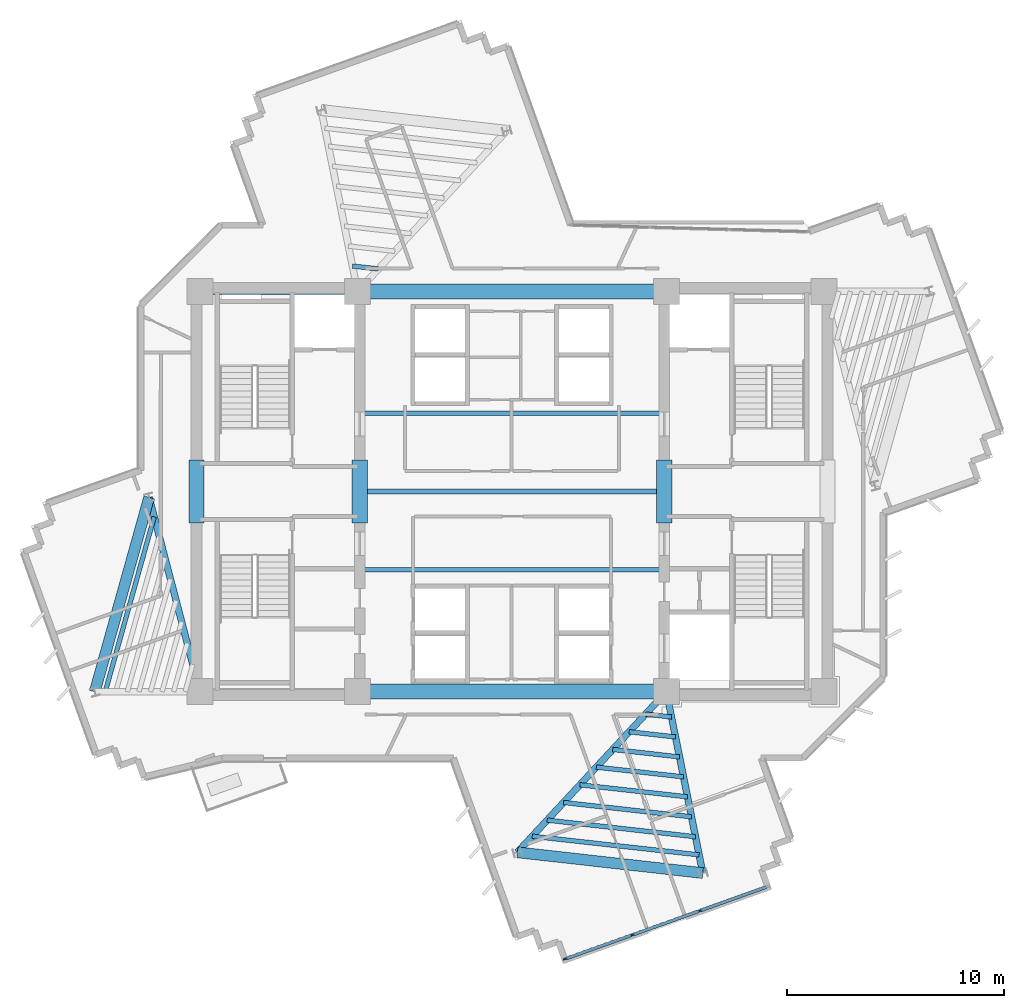
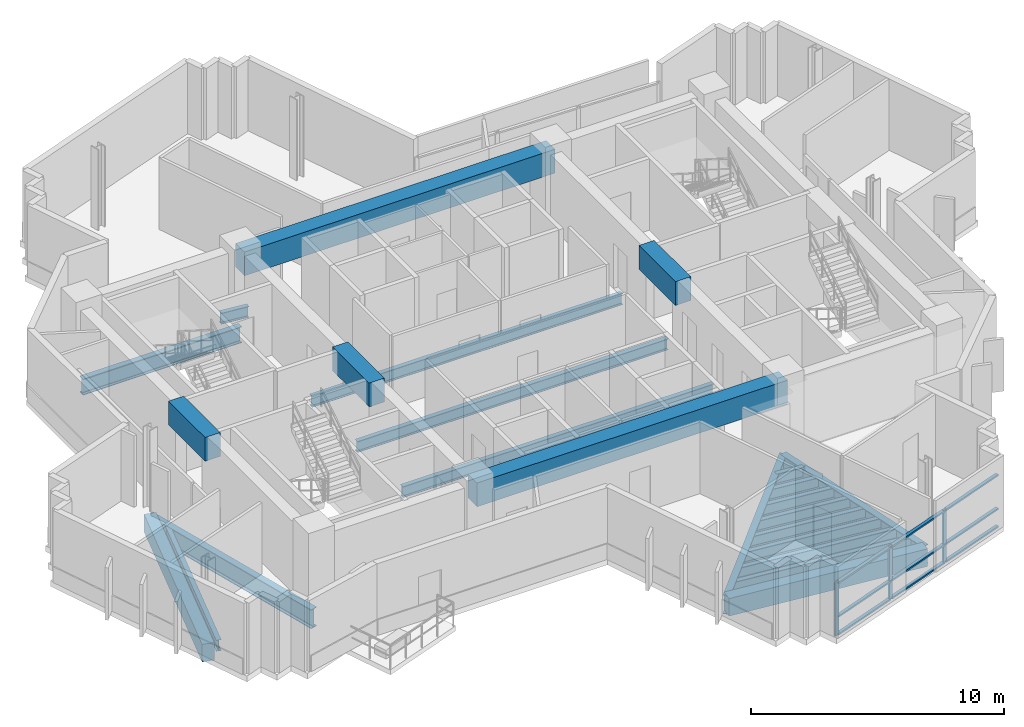
# One storey, part 2 of 13: 24 beams, 12 members, 1 element without a shape of its own.
"""IFC4 building model written with IfcOpenShell, lengths in metres."""

from ifc_helpers import new_model, si_unit, direction, frame, origin, origin_2d, place, context, subcontext, project, spatial, rectangle, i_section, extrude, source, transform, mapped, material, layer, layer_set, material_profile, profile_set, type_object, element, aggregate, save


model = new_model("IFC4")

# Units and contexts
model_context = context("Model", 3, precision=1e-05, world=origin(), true_north=direction((0.0, 1.0)))
body_context = subcontext(model_context, "Body", "Model", "MODEL_VIEW")
ifc_project = project(units=[si_unit("LENGTHUNIT", "METRE"), si_unit("AREAUNIT", "SQUARE_METRE"), si_unit("VOLUMEUNIT", "CUBIC_METRE"), si_unit("PLANEANGLEUNIT", "RADIAN"), si_unit("MASSUNIT", "GRAM", prefix="KILO")], contexts=[model_context])

# Site, building, storey
site_placement = place(None, origin())
site = spatial("IfcSite", under=ifc_project, at=site_placement, CompositionType="ELEMENT")
building_placement = place(site_placement, origin())
building = spatial("IfcBuilding", under=site, at=building_placement, Name="Zahravan Cultural Tower", CompositionType="ELEMENT")
storey_placement = place(building_placement, frame((0.0, 0.0, 225.300048828125)))
storey = spatial("IfcBuildingStorey", under=building, at=storey_placement, Name="L53", CompositionType="ELEMENT", Elevation=225.300048828125)

# Beams
ifc_material_1 = material(Name="Concrete C50/60", Category="concrete")
ifc_material_profile_1 = material_profile(ifc_material_1, rectangle(XDim=0.699951171875, YDim=1.14990234375, at=origin_2d()), Name="RC700X1150")
ifc_profile_set_1 = profile_set([ifc_material_profile_1], Name="Concrete C50/60")
beam_type_1 = type_object("IfcBeamType", Name="BM-LN-RC700X1150", PredefinedType="LINTEL", material=ifc_profile_set_1)
shared_shape_1 = source(origin(), body_context, "Body", "SweptSolid", [
    extrude(rectangle(XDim=0.699951171875, YDim=1.14990234375, at=origin_2d()), origin(), (0.0, 0.0, 1.0), 14.2001953125),
])
for number, where, z_axis, x_axis, name in (
    (1, (28.89990234375, 17.800048828125, 2.875), (1.0, 0.0, 0.0), (0.0, 1.0, 0.0), "L53 Beam LN-L53-S"),
    (2, (28.89990234375, 36.199951171875, 2.875), (1.0, 0.0, 0.0), (0.0, 1.0, 0.0), "L53 Beam LN-L53-N"),
):
    element("IfcBeam", number, at=place(storey_placement, frame(where, z_axis=z_axis, x_axis=x_axis)), inside=storey, type_object=beam_type_1, Name=name, PredefinedType="LINTEL", context=body_context, shape_type="MappedRepresentation", body=[
        mapped(shared_shape_1, transform((0.0, 0.0, 0.0), x_axis=(1.0, 0.0, 0.0), y_axis=(0.0, 1.0, 0.0), z_axis=(0.0, 0.0, 1.0), scale=1.0)),
    ])
shared_shape_2 = source(origin(), body_context, "Body", "SweptSolid", [
    extrude(rectangle(XDim=0.699951171875, YDim=1.14990234375, at=origin_2d()), origin(), (0.0, 0.0, 1.0), 2.89990234375),
])
for number, where, z_axis, x_axis, name in (
    (3, (21.5, 25.550048828125, 2.875), (0.0, 1.0, 0.0), (-1.0, 0.0, 0.0), "L53 Beam LN-L53-PWW"),
    (4, (29.0, 25.550048828125, 2.875), (0.0, 1.0, 0.0), (-1.0, 0.0, 0.0), "L53 Beam LN-L53-PWE"),
    (5, (43.0, 25.550048828125, 2.875), (0.0, 1.0, 0.0), (-1.0, 0.0, 0.0), "L53 Beam LN-L53-PEW"),
):
    element("IfcBeam", number, at=place(storey_placement, frame(where, z_axis=z_axis, x_axis=x_axis)), inside=storey, type_object=beam_type_1, Name=name, PredefinedType="LINTEL", context=body_context, shape_type="MappedRepresentation", body=[
        mapped(shared_shape_2, transform((0.0, 0.0, 0.0), x_axis=(1.0, 0.0, 0.0), y_axis=(0.0, 1.0, 0.0), z_axis=(0.0, 0.0, 1.0), scale=1.0)),
    ])
ifc_material_2 = material(Name="Steel ASTM A992 Grade 50", Category="steel")
ifc_material_profile_2 = material_profile(ifc_material_2, i_section(OverallWidth=0.26611328125, OverallDepth=0.780029296875, WebThickness=0.0166015625, FlangeThickness=0.030029296875, FilletRadius=0.01904296875, at=origin_2d()), Name="W30X148")
ifc_profile_set_2 = profile_set([ifc_material_profile_2], Name="Steel ASTM A992 Grade 50")
beam_type_2 = type_object("IfcBeamType", Name="BM-G-W30X148", PredefinedType="BEAM", material=ifc_profile_set_2)
shared_shape_3 = source(origin(), body_context, "Body", "SweptSolid", [
    extrude(i_section(OverallWidth=0.26611328125, OverallDepth=0.780029296875, WebThickness=0.0166015625, FlangeThickness=0.030029296875, FilletRadius=0.01904296875, at=origin_2d()), origin(), (0.0, 0.0, 1.0), 7.25),
])
beam_1_placement = place(storey_placement, frame((21.64990234375, 36.199951171875, -0.670166015625), z_axis=(1.0, 0.0, 0.0), x_axis=(0.0, 1.0, 0.0)))
element("IfcBeam", 6, at=beam_1_placement, inside=storey, type_object=beam_type_2, Name="L53 Beam BG-L53-02", PredefinedType="BEAM", context=body_context, shape_type="MappedRepresentation", body=[
    mapped(shared_shape_3, transform((0.0, 0.0, 0.0), x_axis=(1.0, 0.0, 0.0), y_axis=(0.0, 1.0, 0.0), z_axis=(0.0, 0.0, 1.0), scale=1.0)),
])
ifc_material_profile_3 = material_profile(ifc_material_2, i_section(OverallWidth=0.304931640625, OverallDepth=0.9189453125, WebThickness=0.017333984375, FlangeThickness=0.02783203125, FilletRadius=0.02392578125, at=origin_2d()), Name="W36X170")
ifc_profile_set_3 = profile_set([ifc_material_profile_3], Name="Steel ASTM A992 Grade 50")
beam_type_3 = type_object("IfcBeamType", Name="BM-G-W36X170", PredefinedType="BEAM", material=ifc_profile_set_3)
shared_shape_4 = source(origin(), body_context, "Body", "SweptSolid", [
    extrude(i_section(OverallWidth=0.304931640625, OverallDepth=0.9189453125, WebThickness=0.017333984375, FlangeThickness=0.02783203125, FilletRadius=0.02392578125, at=origin_2d()), origin(), (0.0, 0.0, 1.0), 9.22900390625),
])
beam_2_placement = place(storey_placement, frame((21.64990234375, 17.800048828125, -0.739501953125), z_axis=(-0.252922608408, 0.967486513682, 0.0), x_axis=(-0.967486513682, -0.252922608408, 0.0)))
element("IfcBeam", 7, at=beam_2_placement, inside=storey, type_object=beam_type_3, Name="L53 Beam BG-L53-07", PredefinedType="BEAM", context=body_context, shape_type="MappedRepresentation", body=[
    mapped(shared_shape_4, transform((0.0, 0.0, 0.0), x_axis=(1.0, 0.0, 0.0), y_axis=(0.0, 1.0, 0.0), z_axis=(0.0, 0.0, 1.0), scale=1.0)),
])
shared_shape_5 = source(origin(), body_context, "Body", "SweptSolid", [
    extrude(i_section(OverallWidth=0.304931640625, OverallDepth=0.9189453125, WebThickness=0.017333984375, FlangeThickness=0.02783203125, FilletRadius=0.02392578125, at=origin_2d()), origin(), (0.0, 0.0, 1.0), 10.077880859375),
])
beam_3_placement = place(storey_placement, frame((43.10009765625, 17.800048828125, -0.739501953125), z_axis=(-0.680170435587, -0.733054007938, 0.0), x_axis=(0.733054007938, -0.680170435587, 0.0)))
element("IfcBeam", 8, at=beam_3_placement, inside=storey, type_object=beam_type_3, Name="L53 Beam BG-L53-09", PredefinedType="BEAM", context=body_context, shape_type="MappedRepresentation", body=[
    mapped(shared_shape_5, transform((0.0, 0.0, 0.0), x_axis=(1.0, 0.0, 0.0), y_axis=(0.0, 1.0, 0.0), z_axis=(0.0, 0.0, 1.0), scale=1.0)),
])
shared_shape_6 = source(origin(), body_context, "Body", "SweptSolid", [
    extrude(i_section(OverallWidth=0.304931640625, OverallDepth=0.9189453125, WebThickness=0.017333984375, FlangeThickness=0.02783203125, FilletRadius=0.02392578125, at=origin_2d()), origin(), (0.0, 0.0, 1.0), 8.50732421875),
])
beam_4_placement = place(storey_placement, frame((43.10009765625, 17.800048828125, -0.739501953125), z_axis=(0.196524514012, -0.980498911469, 0.0), x_axis=(0.980498911469, 0.196524514012, 0.0)))
element("IfcBeam", 9, at=beam_4_placement, inside=storey, type_object=beam_type_3, Name="L53 Beam BG-L53-10", PredefinedType="BEAM", context=body_context, shape_type="MappedRepresentation", body=[
    mapped(shared_shape_6, transform((0.0, 0.0, 0.0), x_axis=(1.0, 0.0, 0.0), y_axis=(0.0, 1.0, 0.0), z_axis=(0.0, 0.0, 1.0), scale=1.0)),
])
ifc_material_profile_4 = material_profile(ifc_material_1, rectangle(XDim=0.5, YDim=0.85009765625, at=origin_2d()), Name="RC500X850")
ifc_profile_set_4 = profile_set([ifc_material_profile_4], Name="Concrete C50/60")
beam_type_4 = type_object("IfcBeamType", Name="BM-SP-RC500X850", PredefinedType="SPANDREL", material=ifc_profile_set_4)
shared_shape_7 = source(origin(), body_context, "Body", "SweptSolid", [
    extrude(rectangle(XDim=0.5, YDim=0.85009765625, at=origin_2d()), origin(), (0.0, 0.0, 1.0), 9.2783203125),
])
beam_5_placement = place(storey_placement, frame((19.315673828125, 26.72900390625, -0.705078125), z_axis=(-0.269497187032, -0.963001176625, 0.0), x_axis=(0.963001176625, -0.269497187032, 0.0)))
element("IfcBeam", 10, at=beam_5_placement, inside=storey, type_object=beam_type_4, Name="L53 Beam SP-L53-15", PredefinedType="SPANDREL", context=body_context, shape_type="MappedRepresentation", body=[
    mapped(shared_shape_7, transform((0.0, 0.0, 0.0), x_axis=(1.0, 0.0, 0.0), y_axis=(0.0, 1.0, 0.0), z_axis=(0.0, 0.0, 1.0), scale=1.0)),
])
shared_shape_8 = source(origin(), body_context, "Body", "SweptSolid", [
    extrude(rectangle(XDim=0.5, YDim=0.85009765625, at=origin_2d()), origin(), (0.0, 0.0, 1.0), 8.579833984375),
])
beam_6_placement = place(storey_placement, frame((36.245361328125, 10.412353515625, -0.705078125), z_axis=(0.9938040105, -0.11114669907, 0.0), x_axis=(0.11114669907, 0.9938040105, 0.0)))
element("IfcBeam", 11, at=beam_6_placement, inside=storey, type_object=beam_type_4, Name="L53 Beam SP-L53-16", PredefinedType="SPANDREL", context=body_context, shape_type="MappedRepresentation", body=[
    mapped(shared_shape_8, transform((0.0, 0.0, 0.0), x_axis=(1.0, 0.0, 0.0), y_axis=(0.0, 1.0, 0.0), z_axis=(0.0, 0.0, 1.0), scale=1.0)),
])
ifc_material_profile_5 = material_profile(ifc_material_2, i_section(OverallWidth=0.2099609375, OverallDepth=0.532958984375, WebThickness=0.01025390625, FlangeThickness=0.015625, FilletRadius=0.013916015625, at=origin_2d()), Name="W21X62")
ifc_profile_set_5 = profile_set([ifc_material_profile_5], Name="Steel ASTM A992 Grade 50")
beam_type_5 = type_object("IfcBeamType", Name="BM-J-W21X62", PredefinedType="JOIST", material=ifc_profile_set_5)
shared_shape_9 = source(origin(), body_context, "Body", "SweptSolid", [
    extrude(i_section(OverallWidth=0.2099609375, OverallDepth=0.532958984375, WebThickness=0.01025390625, FlangeThickness=0.015625, FilletRadius=0.013916015625, at=origin_2d()), origin(), (0.0, 0.0, 1.0), 14.2001953125),
])
for number, where, z_axis, x_axis, name in (
    (12, (28.89990234375, 23.39990234375, -0.546630859375), (1.0, 0.0, 0.0), (0.0, 1.0, 0.0), "L53 Beam BJ-L53-19"),
    (13, (28.89990234375, 27.0, -0.546630859375), (1.0, 0.0, 0.0), (0.0, 1.0, 0.0), "L53 Beam BJ-L53-20"),
    (14, (28.89990234375, 30.60009765625, -0.546630859375), (1.0, 0.0, 0.0), (0.0, 1.0, 0.0), "L53 Beam BJ-L53-21"),
):
    element("IfcBeam", number, at=place(storey_placement, frame(where, z_axis=z_axis, x_axis=x_axis)), inside=storey, type_object=beam_type_5, Name=name, PredefinedType="JOIST", context=body_context, shape_type="MappedRepresentation", body=[
        mapped(shared_shape_9, transform((0.0, 0.0, 0.0), x_axis=(1.0, 0.0, 0.0), y_axis=(0.0, 1.0, 0.0), z_axis=(0.0, 0.0, 1.0), scale=1.0)),
    ])
shared_shape_10 = source(origin(), body_context, "Body", "SweptSolid", [
    extrude(i_section(OverallWidth=0.2099609375, OverallDepth=0.532958984375, WebThickness=0.01025390625, FlangeThickness=0.015625, FilletRadius=0.013916015625, at=origin_2d()), origin(), (0.0, 0.0, 1.0), 8.350830078125),
])
beam_7_placement = place(storey_placement, frame((19.549072265625, 25.836181640625, -0.546630859375), z_axis=(-0.269496539555, -0.963001357822, 0.0), x_axis=(0.963001357822, -0.269496539555, 0.0)))
element("IfcBeam", 15, at=beam_7_placement, inside=storey, type_object=beam_type_5, Name="L53 Beam BJ-L53-29", PredefinedType="JOIST", context=body_context, shape_type="MappedRepresentation", body=[
    mapped(shared_shape_10, transform((0.0, 0.0, 0.0), x_axis=(1.0, 0.0, 0.0), y_axis=(0.0, 1.0, 0.0), z_axis=(0.0, 0.0, 1.0), scale=1.0)),
])
shared_shape_11 = source(origin(), body_context, "Body", "SweptSolid", [
    extrude(i_section(OverallWidth=0.2099609375, OverallDepth=0.532958984375, WebThickness=0.01025390625, FlangeThickness=0.015625, FilletRadius=0.013916015625, at=origin_2d()), origin(), (0.0, 0.0, 1.0), 1.201171875),
])
for number, where, z_axis, x_axis, name in (
    (16, (42.140380859375, 16.765625, -0.546630859375), (0.99379916149, -0.111190047317, 0.0), (0.111190047317, 0.99379916149, 0.0), "L53 Beam BJ-L53-30"),
    (17, (29.859619140625, 37.234375, -0.546630859375), (-0.99379916149, 0.111190047317, 0.0), (-0.111190047317, -0.99379916149, 0.0), "L53 Beam BJ-L53-46"),
):
    element("IfcBeam", number, at=place(storey_placement, frame(where, z_axis=z_axis, x_axis=x_axis)), inside=storey, type_object=beam_type_5, Name=name, PredefinedType="JOIST", context=body_context, shape_type="MappedRepresentation", body=[
        mapped(shared_shape_11, transform((0.0, 0.0, 0.0), x_axis=(1.0, 0.0, 0.0), y_axis=(0.0, 1.0, 0.0), z_axis=(0.0, 0.0, 1.0), scale=1.0)),
    ])
shared_shape_12 = source(origin(), body_context, "Body", "SweptSolid", [
    extrude(i_section(OverallWidth=0.2099609375, OverallDepth=0.532958984375, WebThickness=0.01025390625, FlangeThickness=0.015625, FilletRadius=0.013916015625, at=origin_2d()), origin(), (0.0, 0.0, 1.0), 2.144775390625),
])
beam_8_placement = place(storey_placement, frame((41.386474609375, 15.953125, -0.546630859375), z_axis=(0.993797370806, -0.111206051, 0.0), x_axis=(0.111206051, 0.993797370806, 0.0)))
element("IfcBeam", 18, at=beam_8_placement, inside=storey, type_object=beam_type_5, Name="L53 Beam BJ-L53-31", PredefinedType="JOIST", context=body_context, shape_type="MappedRepresentation", body=[
    mapped(shared_shape_12, transform((0.0, 0.0, 0.0), x_axis=(1.0, 0.0, 0.0), y_axis=(0.0, 1.0, 0.0), z_axis=(0.0, 0.0, 1.0), scale=1.0)),
])
shared_shape_13 = source(origin(), body_context, "Body", "SweptSolid", [
    extrude(i_section(OverallWidth=0.2099609375, OverallDepth=0.532958984375, WebThickness=0.01025390625, FlangeThickness=0.015625, FilletRadius=0.013916015625, at=origin_2d()), origin(), (0.0, 0.0, 1.0), 3.088623046875),
])
beam_9_placement = place(storey_placement, frame((40.63232421875, 15.140380859375, -0.546630859375), z_axis=(0.993805407368, -0.111134208443, 0.0), x_axis=(0.111134208443, 0.993805407368, 0.0)))
element("IfcBeam", 19, at=beam_9_placement, inside=storey, type_object=beam_type_5, Name="L53 Beam BJ-L53-32", PredefinedType="JOIST", context=body_context, shape_type="MappedRepresentation", body=[
    mapped(shared_shape_13, transform((0.0, 0.0, 0.0), x_axis=(1.0, 0.0, 0.0), y_axis=(0.0, 1.0, 0.0), z_axis=(0.0, 0.0, 1.0), scale=1.0)),
])
shared_shape_14 = source(origin(), body_context, "Body", "SweptSolid", [
    extrude(i_section(OverallWidth=0.2099609375, OverallDepth=0.532958984375, WebThickness=0.01025390625, FlangeThickness=0.015625, FilletRadius=0.013916015625, at=origin_2d()), origin(), (0.0, 0.0, 1.0), 4.0322265625),
])
beam_10_placement = place(storey_placement, frame((39.87841796875, 14.327880859375, -0.546630859375), z_axis=(0.993802245601, -0.11116247855, 0.0), x_axis=(0.11116247855, 0.993802245601, 0.0)))
element("IfcBeam", 20, at=beam_10_placement, inside=storey, type_object=beam_type_5, Name="L53 Beam BJ-L53-33", PredefinedType="JOIST", context=body_context, shape_type="MappedRepresentation", body=[
    mapped(shared_shape_14, transform((0.0, 0.0, 0.0), x_axis=(1.0, 0.0, 0.0), y_axis=(0.0, 1.0, 0.0), z_axis=(0.0, 0.0, 1.0), scale=1.0)),
])
shared_shape_15 = source(origin(), body_context, "Body", "SweptSolid", [
    extrude(i_section(OverallWidth=0.2099609375, OverallDepth=0.532958984375, WebThickness=0.01025390625, FlangeThickness=0.015625, FilletRadius=0.013916015625, at=origin_2d()), origin(), (0.0, 0.0, 1.0), 4.97607421875),
])
beam_11_placement = place(storey_placement, frame((39.124267578125, 13.51513671875, -0.546630859375), z_axis=(0.993806308517, -0.111126149723, 0.0), x_axis=(0.111126149723, 0.993806308517, 0.0)))
element("IfcBeam", 21, at=beam_11_placement, inside=storey, type_object=beam_type_5, Name="L53 Beam BJ-L53-34", PredefinedType="JOIST", context=body_context, shape_type="MappedRepresentation", body=[
    mapped(shared_shape_15, transform((0.0, 0.0, 0.0), x_axis=(1.0, 0.0, 0.0), y_axis=(0.0, 1.0, 0.0), z_axis=(0.0, 0.0, 1.0), scale=1.0)),
])
shared_shape_16 = source(origin(), body_context, "Body", "SweptSolid", [
    extrude(i_section(OverallWidth=0.2099609375, OverallDepth=0.532958984375, WebThickness=0.01025390625, FlangeThickness=0.015625, FilletRadius=0.013916015625, at=origin_2d()), origin(), (0.0, 0.0, 1.0), 5.919921875),
])
beam_12_placement = place(storey_placement, frame((38.370361328125, 12.70263671875, -0.546630859375), z_axis=(0.993804520866, -0.111142135602, 0.0), x_axis=(0.111142135602, 0.993804520866, 0.0)))
element("IfcBeam", 22, at=beam_12_placement, inside=storey, type_object=beam_type_5, Name="L53 Beam BJ-L53-35", PredefinedType="JOIST", context=body_context, shape_type="MappedRepresentation", body=[
    mapped(shared_shape_16, transform((0.0, 0.0, 0.0), x_axis=(1.0, 0.0, 0.0), y_axis=(0.0, 1.0, 0.0), z_axis=(0.0, 0.0, 1.0), scale=1.0)),
])
shared_shape_17 = source(origin(), body_context, "Body", "SweptSolid", [
    extrude(i_section(OverallWidth=0.2099609375, OverallDepth=0.532958984375, WebThickness=0.01025390625, FlangeThickness=0.015625, FilletRadius=0.013916015625, at=origin_2d()), origin(), (0.0, 0.0, 1.0), 6.86376953125),
])
beam_13_placement = place(storey_placement, frame((37.6162109375, 11.889892578125, -0.546630859375), z_axis=(0.993803224695, -0.111153725024, 0.0), x_axis=(0.111153725024, 0.993803224695, 0.0)))
element("IfcBeam", 23, at=beam_13_placement, inside=storey, type_object=beam_type_5, Name="L53 Beam BJ-L53-36", PredefinedType="JOIST", context=body_context, shape_type="MappedRepresentation", body=[
    mapped(shared_shape_17, transform((0.0, 0.0, 0.0), x_axis=(1.0, 0.0, 0.0), y_axis=(0.0, 1.0, 0.0), z_axis=(0.0, 0.0, 1.0), scale=1.0)),
])
shared_shape_18 = source(origin(), body_context, "Body", "SweptSolid", [
    extrude(i_section(OverallWidth=0.2099609375, OverallDepth=0.532958984375, WebThickness=0.01025390625, FlangeThickness=0.015625, FilletRadius=0.013916015625, at=origin_2d()), origin(), (0.0, 0.0, 1.0), 7.7216796875),
])
beam_14_placement = place(storey_placement, frame((36.930908203125, 11.151123046875, -0.546630859375), z_axis=(0.993805212115, -0.11113595446, 0.0), x_axis=(0.11113595446, 0.993805212115, 0.0)))
element("IfcBeam", 24, at=beam_14_placement, inside=storey, type_object=beam_type_5, Name="L53 Beam BJ-L53-37", PredefinedType="JOIST", context=body_context, shape_type="MappedRepresentation", body=[
    mapped(shared_shape_18, transform((0.0, 0.0, 0.0), x_axis=(1.0, 0.0, 0.0), y_axis=(0.0, 1.0, 0.0), z_axis=(0.0, 0.0, 1.0), scale=1.0)),
])

# Curtain wall, members
ifc_material_3 = material(Name="Anodised bronze-aluminium mullion", Category="aluminium")
ifc_layer = layer(ifc_material_3, 0.199951171875)
ifc_layer_set = layer_set([ifc_layer], Name="Anodised bronze-aluminium mullion")
curtain_wall_type = type_object("IfcCurtainWallType", Name="CW-SYS-2", PredefinedType="USERDEFINED", material=ifc_layer_set)
curtain_wall_placement = place(storey_placement, origin())
curtain_wall = element("IfcCurtainWall", 25, at=curtain_wall_placement, inside=storey, type_object=curtain_wall_type, Name="L53 Recessed Curtain Wall CW-2.1", ObjectType="RECESSED GLAZING", PredefinedType="USERDEFINED")
ifc_material_profile_6 = material_profile(ifc_material_3, rectangle(XDim=0.14990234375, YDim=0.074951171875, at=origin_2d()), Name="AL-T75X150")
ifc_profile_set_6 = profile_set([ifc_material_profile_6], Name="Anodised bronze-aluminium mullion")
member_type_1 = type_object("IfcMemberType", Name="CWT-CW-2", PredefinedType="USERDEFINED", material=ifc_profile_set_6)
shared_shape_19 = source(origin(), body_context, "Body", "SweptSolid", [
    extrude(rectangle(XDim=0.14990234375, YDim=0.074951171875, at=origin_2d()), origin(), (0.0, 0.0, 1.0), 3.1943359375),
])
member_1_placement = place(storey_placement, frame((41.49560546875, 6.599609375, 0.037353515625), z_axis=(-0.941677915787, -0.336515531467, 0.0), x_axis=(0.336515531467, -0.941677915787, 0.0)))
member_1 = element("IfcMember", 26, at=member_1_placement, type_object=member_type_1, Name="CW-2 transom 3.1", ObjectType="TRANSOM", PredefinedType="USERDEFINED", context=body_context, shape_type="MappedRepresentation", body=[
    mapped(shared_shape_19, transform((0.0, 0.0, 0.0), x_axis=(1.0, 0.0, 0.0), y_axis=(0.0, 1.0, 0.0), z_axis=(0.0, 0.0, 1.0), scale=1.0)),
])
member_2_placement = place(storey_placement, frame((41.49560546875, 6.599609375, 0.89990234375), z_axis=(-0.941677915787, -0.336515531467, 0.0), x_axis=(0.336515531467, -0.941677915787, 0.0)))
member_2 = element("IfcMember", 27, at=member_2_placement, type_object=member_type_1, Name="CW-2 transom 3.2", ObjectType="TRANSOM", PredefinedType="USERDEFINED", context=body_context, shape_type="MappedRepresentation", body=[
    mapped(shared_shape_19, transform((0.0, 0.0, 0.0), x_axis=(1.0, 0.0, 0.0), y_axis=(0.0, 1.0, 0.0), z_axis=(0.0, 0.0, 1.0), scale=1.0)),
])
member_3_placement = place(storey_placement, frame((41.49560546875, 6.599609375, 2.532470703125), z_axis=(-0.941677915787, -0.336515531467, 0.0), x_axis=(0.336515531467, -0.941677915787, 0.0)))
member_3 = element("IfcMember", 28, at=member_3_placement, type_object=member_type_1, Name="CW-2 transom 3.3", ObjectType="TRANSOM", PredefinedType="USERDEFINED", context=body_context, shape_type="MappedRepresentation", body=[
    mapped(shared_shape_19, transform((0.0, 0.0, 0.0), x_axis=(1.0, 0.0, 0.0), y_axis=(0.0, 1.0, 0.0), z_axis=(0.0, 0.0, 1.0), scale=1.0)),
])
shared_shape_20 = source(origin(), body_context, "Body", "SweptSolid", [
    extrude(rectangle(XDim=0.14990234375, YDim=0.074951171875, at=origin_2d()), origin(), (0.0, 0.0, 1.0), 3.231689453125),
])
member_4_placement = place(storey_placement, frame((44.609375, 7.71240234375, 0.037353515625), z_axis=(-0.941664974923, -0.33655174194, 0.0), x_axis=(0.33655174194, -0.941664974923, 0.0)))
member_4 = element("IfcMember", 29, at=member_4_placement, type_object=member_type_1, Name="CW-2 transom 2.1", ObjectType="TRANSOM", PredefinedType="USERDEFINED", context=body_context, shape_type="MappedRepresentation", body=[
    mapped(shared_shape_20, transform((0.0, 0.0, 0.0), x_axis=(1.0, 0.0, 0.0), y_axis=(0.0, 1.0, 0.0), z_axis=(0.0, 0.0, 1.0), scale=1.0)),
])
member_5_placement = place(storey_placement, frame((44.609375, 7.71240234375, 0.89990234375), z_axis=(-0.941664974923, -0.33655174194, 0.0), x_axis=(0.33655174194, -0.941664974923, 0.0)))
member_5 = element("IfcMember", 30, at=member_5_placement, type_object=member_type_1, Name="CW-2 transom 2.2", ObjectType="TRANSOM", PredefinedType="USERDEFINED", context=body_context, shape_type="MappedRepresentation", body=[
    mapped(shared_shape_20, transform((0.0, 0.0, 0.0), x_axis=(1.0, 0.0, 0.0), y_axis=(0.0, 1.0, 0.0), z_axis=(0.0, 0.0, 1.0), scale=1.0)),
])
member_6_placement = place(storey_placement, frame((44.609375, 7.71240234375, 2.532470703125), z_axis=(-0.941664974923, -0.33655174194, 0.0), x_axis=(0.33655174194, -0.941664974923, 0.0)))
member_6 = element("IfcMember", 31, at=member_6_placement, type_object=member_type_1, Name="CW-2 transom 2.3", ObjectType="TRANSOM", PredefinedType="USERDEFINED", context=body_context, shape_type="MappedRepresentation", body=[
    mapped(shared_shape_20, transform((0.0, 0.0, 0.0), x_axis=(1.0, 0.0, 0.0), y_axis=(0.0, 1.0, 0.0), z_axis=(0.0, 0.0, 1.0), scale=1.0)),
])
shared_shape_21 = source(origin(), body_context, "Body", "SweptSolid", [
    extrude(rectangle(XDim=0.14990234375, YDim=0.074951171875, at=origin_2d()), origin(), (0.0, 0.0, 1.0), 3.194091796875),
])
member_7_placement = place(storey_placement, frame((47.687744140625, 8.8125, 0.037353515625), z_axis=(-0.941669259861, -0.33653975253, 0.0), x_axis=(0.33653975253, -0.941669259861, 0.0)))
member_7 = element("IfcMember", 32, at=member_7_placement, type_object=member_type_1, Name="CW-2 transom 1.1", ObjectType="TRANSOM", PredefinedType="USERDEFINED", context=body_context, shape_type="MappedRepresentation", body=[
    mapped(shared_shape_21, transform((0.0, 0.0, 0.0), x_axis=(1.0, 0.0, 0.0), y_axis=(0.0, 1.0, 0.0), z_axis=(0.0, 0.0, 1.0), scale=1.0)),
])
member_8_placement = place(storey_placement, frame((47.687744140625, 8.8125, 0.89990234375), z_axis=(-0.941669259861, -0.33653975253, 0.0), x_axis=(0.33653975253, -0.941669259861, 0.0)))
member_8 = element("IfcMember", 33, at=member_8_placement, type_object=member_type_1, Name="CW-2 transom 1.2", ObjectType="TRANSOM", PredefinedType="USERDEFINED", context=body_context, shape_type="MappedRepresentation", body=[
    mapped(shared_shape_21, transform((0.0, 0.0, 0.0), x_axis=(1.0, 0.0, 0.0), y_axis=(0.0, 1.0, 0.0), z_axis=(0.0, 0.0, 1.0), scale=1.0)),
])
member_9_placement = place(storey_placement, frame((47.687744140625, 8.8125, 2.532470703125), z_axis=(-0.941669259861, -0.33653975253, 0.0), x_axis=(0.33653975253, -0.941669259861, 0.0)))
member_9 = element("IfcMember", 34, at=member_9_placement, type_object=member_type_1, Name="CW-2 transom 1.3", ObjectType="TRANSOM", PredefinedType="USERDEFINED", context=body_context, shape_type="MappedRepresentation", body=[
    mapped(shared_shape_21, transform((0.0, 0.0, 0.0), x_axis=(1.0, 0.0, 0.0), y_axis=(0.0, 1.0, 0.0), z_axis=(0.0, 0.0, 1.0), scale=1.0)),
])
ifc_material_profile_7 = material_profile(ifc_material_3, rectangle(XDim=0.074951171875, YDim=0.199951171875, at=origin_2d()), Name="AL-M75X200")
ifc_profile_set_7 = profile_set([ifc_material_profile_7], Name="Anodised bronze-aluminium mullion")
member_type_2 = type_object("IfcMemberType", Name="CWM-CW-2", PredefinedType="MULLION", material=ifc_profile_set_7)
shared_shape_22 = source(origin(), body_context, "Body", "SweptSolid", [
    extrude(rectangle(XDim=0.074951171875, YDim=0.199951171875, at=origin_2d()), origin(), (0.0, 0.0, 1.0), 2.570068359375),
])
member_10_placement = place(storey_placement, frame((44.64453125, 7.724853515625, 0.0), z_axis=(0.0, 0.0, 1.0), x_axis=(0.336540737832, -0.941668907727, 0.0)))
member_10 = element("IfcMember", 35, at=member_10_placement, type_object=member_type_2, Name="CW-2 mullion 2", PredefinedType="MULLION", context=body_context, shape_type="MappedRepresentation", body=[
    mapped(shared_shape_22, transform((0.0, 0.0, 0.0), x_axis=(1.0, 0.0, 0.0), y_axis=(0.0, 1.0, 0.0), z_axis=(0.0, 0.0, 1.0), scale=1.0)),
])
member_11_placement = place(storey_placement, frame((41.53076171875, 6.612060546875, 0.0), z_axis=(0.0, 0.0, 1.0), x_axis=(0.336540737832, -0.941668907727, 0.0)))
member_11 = element("IfcMember", 36, at=member_11_placement, type_object=member_type_2, Name="CW-2 mullion 3", PredefinedType="MULLION", context=body_context, shape_type="MappedRepresentation", body=[
    mapped(shared_shape_22, transform((0.0, 0.0, 0.0), x_axis=(1.0, 0.0, 0.0), y_axis=(0.0, 1.0, 0.0), z_axis=(0.0, 0.0, 1.0), scale=1.0)),
])
member_12_placement = place(storey_placement, frame((38.452392578125, 5.511962890625, 0.0), z_axis=(0.0, 0.0, 1.0), x_axis=(0.336540737832, -0.941668907727, 0.0)))
member_12 = element("IfcMember", 37, at=member_12_placement, type_object=member_type_2, Name="CW-2 mullion 4", PredefinedType="MULLION", context=body_context, shape_type="MappedRepresentation", body=[
    mapped(shared_shape_22, transform((0.0, 0.0, 0.0), x_axis=(1.0, 0.0, 0.0), y_axis=(0.0, 1.0, 0.0), z_axis=(0.0, 0.0, 1.0), scale=1.0)),
])
aggregate(curtain_wall, [member_10, member_11, member_12, member_7, member_8, member_9, member_4, member_5, member_6, member_1, member_2, member_3])

save(model, "model.ifc")
